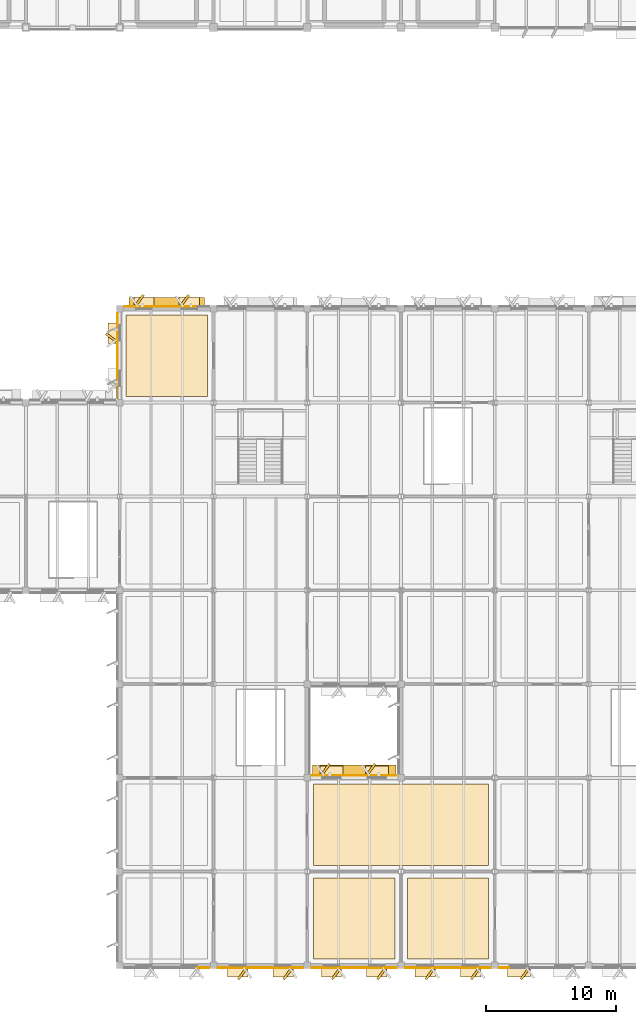
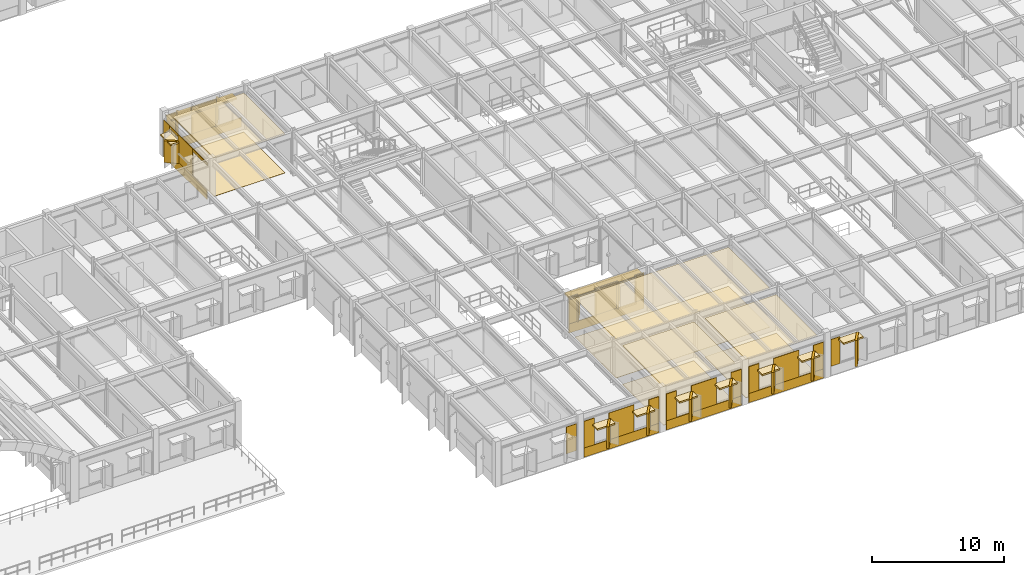
# One storey, part 74 of 85: 57 coverings, 2 shading devices.
"""IFC4 building model written with IfcOpenShell, lengths in metres."""

from ifc_helpers import new_model, si_unit, direction, frame, frame_2d, origin, origin_2d, place, context, subcontext, project, spatial, polyline, rectangle, outline, extrude, material, layer, layer_set, type_object, element, save


model = new_model("IFC4")

# Units and contexts
model_context = context("Model", 3, precision=1e-05, world=origin(), true_north=direction((0.0, 1.0)))
body_context = subcontext(model_context, "Body", "Model", "MODEL_VIEW")
ifc_project = project(units=[si_unit("LENGTHUNIT", "METRE"), si_unit("AREAUNIT", "SQUARE_METRE"), si_unit("VOLUMEUNIT", "CUBIC_METRE"), si_unit("PLANEANGLEUNIT", "RADIAN"), si_unit("MASSUNIT", "GRAM", prefix="KILO")], contexts=[model_context])

# Site, building, storey
site_placement = place(None, origin())
site = spatial("IfcSite", under=ifc_project, at=site_placement, CompositionType="ELEMENT")
building_placement = place(site_placement, origin())
building = spatial("IfcBuilding", under=site, at=building_placement, Name="Sillqori Civic Hall", CompositionType="ELEMENT")
storey_placement = place(building_placement, frame((0.0, 0.0, 9.89990234375)))
storey = spatial("IfcBuildingStorey", under=building, at=storey_placement, Name="L03", CompositionType="ELEMENT", Elevation=9.89990234375)

# Coverings
ifc_material_1 = material(Name="Acoustic Wool Metal Plank 76", Category="aluminium")
ifc_layer_1 = layer(ifc_material_1, 0.075927734375)
ifc_layer_set_1 = layer_set([ifc_layer_1], Name="Acoustic Wool Metal Plank 76")
covering_type_1 = type_object("IfcCoveringType", Name="COV-CEIL-M76", PredefinedType="CEILING", material=ifc_layer_set_1)
covering_1_placement = place(storey_placement, frame((0.0, 0.0, 3.545166015625)))
element("IfcCovering", 1, at=covering_1_placement, inside=storey, type_object=covering_type_1, Name="Civic Heritage Exhibition Gallery L03-05 acoustic ceiling", PredefinedType="CEILING", context=body_context, shape_type="SweptSolid", body=[
    extrude(outline(polyline([(65.280029296875, 50.8798828125), (71.52001953125, 50.8798828125), (71.52001953125, 57.1201171875), (65.280029296875, 57.1201171875), (65.280029296875, 50.8798828125)])), origin(), (0.0, 0.0, 1.0), 0.075927734375),
])
ifc_material_2 = material(Name="Mineral-Fibre High-NRC Tile Ceiling", Category="gypsum")
ifc_layer_2 = layer(ifc_material_2, 0.02392578125)
ifc_layer_set_2 = layer_set([ifc_layer_2], Name="Mineral-Fibre High-NRC Tile Ceiling")
covering_type_2 = type_object("IfcCoveringType", Name="COV-CEIL-MIN", PredefinedType="CEILING", material=ifc_layer_set_2)
covering_2_placement = place(storey_placement, frame((0.0, 0.0, 3.59716796875)))
element("IfcCovering", 2, at=covering_2_placement, inside=storey, type_object=covering_type_2, Name="Youth Municipal Council Workshop Studio L03-07 acoustic ceiling", PredefinedType="CEILING", context=body_context, shape_type="SweptSolid", body=[
    extrude(outline(polyline([(79.679931640625, 14.8798828125), (93.1201171875, 14.8798828125), (93.1201171875, 21.1201171875), (79.679931640625, 21.1201171875), (79.679931640625, 14.8798828125)])), origin(), (0.0, 0.0, 1.0), 0.02392578125),
])
ifc_material_3 = material(Name="Andean Cedar Slatted Baffle 46", Category="timber")
ifc_layer_3 = layer(ifc_material_3, 0.0458984375)
ifc_layer_set_3 = layer_set([ifc_layer_3], Name="Andean Cedar Slatted Baffle 46")
covering_type_3 = type_object("IfcCoveringType", Name="COV-CEIL-T46", PredefinedType="CEILING", material=ifc_layer_set_3)
covering_3_placement = place(storey_placement, frame((0.0, 0.0, 3.5751953125)))
element("IfcCovering", 3, at=covering_3_placement, inside=storey, type_object=covering_type_3, Name="Youth Municipal Council Workshop Studio L03-11 acoustic ceiling", PredefinedType="CEILING", context=body_context, shape_type="SweptSolid", body=[
    extrude(outline(polyline([(86.8798828125, 7.679931640625), (93.1201171875, 7.679931640625), (93.1201171875, 13.919921875), (86.8798828125, 13.919921875), (86.8798828125, 7.679931640625)])), origin(), (0.0, 0.0, 1.0), 0.0458984375),
])
ifc_material_4 = material(Name="Slatted Andean Cedar Acoustic Baffle", Category="timber")
ifc_layer_4 = layer(ifc_material_4, 0.0419921875)
ifc_layer_set_4 = layer_set([ifc_layer_4], Name="Slatted Andean Cedar Acoustic Baffle")
covering_type_4 = type_object("IfcCoveringType", Name="COV-CEIL-TIM", PredefinedType="CEILING", material=ifc_layer_set_4)
covering_4_placement = place(storey_placement, frame((0.0, 0.0, 3.5791015625)))
element("IfcCovering", 4, at=covering_4_placement, inside=storey, type_object=covering_type_4, Name="Citizen Participatory Budgeting Forum Hall L03-06 acoustic ceiling", PredefinedType="CEILING", context=body_context, shape_type="SweptSolid", body=[
    extrude(outline(polyline([(79.679931640625, 7.679931640625), (85.919921875, 7.679931640625), (85.919921875, 13.919921875), (79.679931640625, 13.919921875), (79.679931640625, 7.679931640625)])), origin(), (0.0, 0.0, 1.0), 0.0419921875),
])
ifc_material_5 = material(Name="Cochabamba Honed Limestone Cladding", Category="masonry")
ifc_layer_5 = layer(ifc_material_5, 0.044921875)
ifc_layer_set_5 = layer_set([ifc_layer_5], Name="Cochabamba Honed Limestone Cladding")
covering_type_5 = type_object("IfcCoveringType", Name="COV-CLAD-LIME", PredefinedType="CLADDING", material=ifc_layer_set_5)
covering_5_placement = place(storey_placement, frame((71.669921875, 7.02001953125, 0.900146484375), z_axis=(0.0, 0.0, 1.0), x_axis=(-1.0, 0.0, 0.0)))
element("IfcCovering", 5, at=covering_5_placement, inside=storey, type_object=covering_type_5, Name="L03 Wedge Hall limestone pier cladding L03-09-01-S.1", PredefinedType="CLADDING", context=body_context, shape_type="SweptSolid", body=[
    extrude(rectangle(XDim=0.887939453125, YDim=0.044921875, at=frame_2d((0.44384765625, 0.0))), origin(), (0.0, 0.0, 1.0), 2.47802734375),
])
covering_6_placement = place(storey_placement, frame((65.1298828125, 57.780029296875, 0.0400390625), z_axis=(0.0, 0.0, 1.0), x_axis=(1.0, 0.0, 0.0)))
element("IfcCovering", 6, at=covering_6_placement, inside=storey, type_object=covering_type_5, Name="L03 limestone spandrel cladding L03-09-07-N", PredefinedType="CLADDING", context=body_context, shape_type="SweptSolid", body=[
    extrude(rectangle(XDim=6.5400390625, YDim=0.044921875, at=frame_2d((3.27001953125, 0.0))), origin(), (0.0, 0.0, 1.0), 0.860107421875),
])
covering_7_placement = place(storey_placement, frame((65.1298828125, 57.780029296875, 0.900146484375), z_axis=(0.0, 0.0, 1.0), x_axis=(1.0, 0.0, 0.0)))
element("IfcCovering", 7, at=covering_7_placement, inside=storey, type_object=covering_type_5, Name="L03 Wedge Hall limestone pier cladding L03-09-07-N.1", PredefinedType="CLADDING", context=body_context, shape_type="SweptSolid", body=[
    extrude(rectangle(XDim=0.88818359375, YDim=0.044921875, at=frame_2d((0.444091796875, 0.0))), origin(), (0.0, 0.0, 1.0), 2.47802734375),
])
covering_8_placement = place(storey_placement, frame((67.298095703125, 57.780029296875, 0.900146484375), z_axis=(0.0, 0.0, 1.0), x_axis=(1.0, 0.0, 0.0)))
element("IfcCovering", 8, at=covering_8_placement, inside=storey, type_object=covering_type_5, Name="L03 Wedge Hall limestone pier cladding L03-09-07-N.2", PredefinedType="CLADDING", context=body_context, shape_type="SweptSolid", body=[
    extrude(rectangle(XDim=2.203857421875, YDim=0.044921875, at=frame_2d((1.10205078125, 0.0))), origin(), (0.0, 0.0, 1.0), 2.47802734375),
])
covering_9_placement = place(storey_placement, frame((65.93798828125, 57.739990234375, 0.830078125), z_axis=(0.0, 0.0, 1.0), x_axis=(0.587805596445, 0.809002213092, 0.0)))
element("IfcCovering", 9, at=covering_9_placement, inside=storey, type_object=covering_type_5, Name="Sawtooth limestone angled reveal cheek L03-09-07-N.1", PredefinedType="CLADDING", context=body_context, shape_type="SweptSolid", body=[
    extrude(rectangle(XDim=1.150146484375, YDim=0.179931640625, at=frame_2d((0.5751953125, 0.0))), origin(), (0.0, 0.0, 1.0), 2.0),
])
covering_10_placement = place(storey_placement, frame((65.8779296875, 58.1201171875, 2.690185546875), z_axis=(0.0, 0.0, 1.0), x_axis=(1.0, 0.0, 0.0)))
element("IfcCovering", 10, at=covering_10_placement, inside=storey, type_object=covering_type_5, Name="Sawtooth limestone window hood L03-09-07-N.1", PredefinedType="CLADDING", context=body_context, shape_type="SweptSolid", body=[
    extrude(rectangle(XDim=1.56005859375, YDim=0.780029296875, at=frame_2d((0.780029296875, 0.0))), origin(), (0.0, 0.0, 1.0), 0.139892578125),
])
covering_11_placement = place(storey_placement, frame((69.422119140625, 57.739990234375, 0.830078125), z_axis=(0.0, 0.0, 1.0), x_axis=(0.587666635914, 0.809103160934, 0.0)))
element("IfcCovering", 11, at=covering_11_placement, inside=storey, type_object=covering_type_5, Name="Sawtooth limestone angled reveal cheek L03-09-07-N.2", PredefinedType="CLADDING", context=body_context, shape_type="SweptSolid", body=[
    extrude(rectangle(XDim=1.14990234375, YDim=0.179931640625, at=frame_2d((0.574951171875, 0.0))), origin(), (0.0, 0.0, 1.0), 2.0),
])
covering_12_placement = place(storey_placement, frame((69.362060546875, 58.1201171875, 2.690185546875), z_axis=(0.0, 0.0, 1.0), x_axis=(1.0, 0.0, 0.0)))
element("IfcCovering", 12, at=covering_12_placement, inside=storey, type_object=covering_type_5, Name="Sawtooth limestone window hood L03-09-07-N.2", PredefinedType="CLADDING", context=body_context, shape_type="SweptSolid", body=[
    extrude(rectangle(XDim=1.56005859375, YDim=0.780029296875, at=frame_2d((0.780029296875, 0.0))), origin(), (0.0, 0.0, 1.0), 0.139892578125),
])
covering_13_placement = place(storey_placement, frame((64.6201171875, 50.72998046875, 0.0400390625), z_axis=(0.0, 0.0, 1.0), x_axis=(0.0, 1.0, 0.0)))
element("IfcCovering", 13, at=covering_13_placement, inside=storey, type_object=covering_type_5, Name="L03 limestone spandrel cladding L03-09-07-W", PredefinedType="CLADDING", context=body_context, shape_type="SweptSolid", body=[
    extrude(rectangle(XDim=6.5400390625, YDim=0.044921875, at=frame_2d((3.27001953125, 0.0))), origin(), (0.0, 0.0, 1.0), 0.860107421875),
])
covering_14_placement = place(storey_placement, frame((64.6201171875, 50.72998046875, 3.22021484375), z_axis=(0.0, 0.0, 1.0), x_axis=(0.0, 1.0, 0.0)))
element("IfcCovering", 14, at=covering_14_placement, inside=storey, type_object=covering_type_5, Name="L03 limestone frieze cladding L03-09-07-W", PredefinedType="CLADDING", context=body_context, shape_type="SweptSolid", body=[
    extrude(rectangle(XDim=6.5400390625, YDim=0.044921875, at=frame_2d((3.27001953125, 0.0))), origin(), (0.0, 0.0, 1.0), 0.226806640625),
])
covering_15_placement = place(storey_placement, frame((64.6201171875, 52.89794921875, 0.900146484375), z_axis=(0.0, 0.0, 1.0), x_axis=(0.0, 1.0, 0.0)))
element("IfcCovering", 15, at=covering_15_placement, inside=storey, type_object=covering_type_5, Name="L03 Wedge Hall limestone pier cladding L03-09-07-W.2", PredefinedType="CLADDING", context=body_context, shape_type="SweptSolid", body=[
    extrude(rectangle(XDim=2.2041015625, YDim=0.044921875, at=frame_2d((1.10205078125, 0.0))), origin(), (0.0, 0.0, 1.0), 2.546875),
])
covering_16_placement = place(storey_placement, frame((64.6201171875, 56.382080078125, 0.900146484375), z_axis=(0.0, 0.0, 1.0), x_axis=(0.0, 1.0, 0.0)))
element("IfcCovering", 16, at=covering_16_placement, inside=storey, type_object=covering_type_5, Name="L03 Wedge Hall limestone pier cladding L03-09-07-W.3", PredefinedType="CLADDING", context=body_context, shape_type="SweptSolid", body=[
    extrude(rectangle(XDim=0.887939453125, YDim=0.044921875, at=frame_2d((0.44384765625, 0.0))), origin(), (0.0, 0.0, 1.0), 2.546875),
])
covering_17_placement = place(storey_placement, frame((64.659912109375, 55.02197265625, 0.830078125), z_axis=(0.0, 0.0, 1.0), x_axis=(-0.809002213092, 0.587805596445, 0.0)))
element("IfcCovering", 17, at=covering_17_placement, inside=storey, type_object=covering_type_5, Name="Sawtooth limestone angled reveal cheek L03-09-07-W.2", PredefinedType="CLADDING", context=body_context, shape_type="SweptSolid", body=[
    extrude(rectangle(XDim=1.150146484375, YDim=0.179931640625, at=frame_2d((0.5751953125, 0.0))), origin(), (0.0, 0.0, 1.0), 2.0),
])
covering_18_placement = place(storey_placement, frame((64.280029296875, 54.9619140625, 2.690185546875), z_axis=(0.0, 0.0, 1.0), x_axis=(0.0, 1.0, 0.0)))
element("IfcCovering", 18, at=covering_18_placement, inside=storey, type_object=covering_type_5, Name="Sawtooth limestone window hood L03-09-07-W.2", PredefinedType="CLADDING", context=body_context, shape_type="SweptSolid", body=[
    extrude(rectangle(XDim=1.56005859375, YDim=0.780029296875, at=frame_2d((0.780029296875, 0.0))), origin(), (0.0, 0.0, 1.0), 0.139892578125),
])
covering_19_placement = place(storey_placement, frame((78.8701171875, 7.02001953125, 0.0400390625), z_axis=(0.0, 0.0, 1.0), x_axis=(-1.0, 0.0, 0.0)))
element("IfcCovering", 19, at=covering_19_placement, inside=storey, type_object=covering_type_5, Name="L03 limestone spandrel cladding L03-10-01-S", PredefinedType="CLADDING", context=body_context, shape_type="SweptSolid", body=[
    extrude(rectangle(XDim=6.5400390625, YDim=0.044921875, at=frame_2d((3.27001953125, 0.0))), origin(), (0.0, 0.0, 1.0), 0.860107421875),
])
covering_20_placement = place(storey_placement, frame((78.8701171875, 7.02001953125, 0.900146484375), z_axis=(0.0, 0.0, 1.0), x_axis=(-1.0, 0.0, 0.0)))
element("IfcCovering", 20, at=covering_20_placement, inside=storey, type_object=covering_type_5, Name="L03 Wedge Hall limestone pier cladding L03-10-01-S.1", PredefinedType="CLADDING", context=body_context, shape_type="SweptSolid", body=[
    extrude(rectangle(XDim=0.88818359375, YDim=0.044921875, at=frame_2d((0.444091796875, 0.0))), origin(), (0.0, 0.0, 1.0), 2.47802734375),
])
covering_21_placement = place(storey_placement, frame((76.701904296875, 7.02001953125, 0.900146484375), z_axis=(0.0, 0.0, 1.0), x_axis=(-1.0, 0.0, 0.0)))
element("IfcCovering", 21, at=covering_21_placement, inside=storey, type_object=covering_type_5, Name="L03 Wedge Hall limestone pier cladding L03-10-01-S.2", PredefinedType="CLADDING", context=body_context, shape_type="SweptSolid", body=[
    extrude(rectangle(XDim=2.203857421875, YDim=0.044921875, at=frame_2d((1.10205078125, 0.0))), origin(), (0.0, 0.0, 1.0), 2.47802734375),
])
covering_22_placement = place(storey_placement, frame((73.218017578125, 7.02001953125, 0.900146484375), z_axis=(0.0, 0.0, 1.0), x_axis=(-1.0, 0.0, 0.0)))
element("IfcCovering", 22, at=covering_22_placement, inside=storey, type_object=covering_type_5, Name="L03 Wedge Hall limestone pier cladding L03-10-01-S.3", PredefinedType="CLADDING", context=body_context, shape_type="SweptSolid", body=[
    extrude(rectangle(XDim=0.887939453125, YDim=0.044921875, at=frame_2d((0.44384765625, 0.0))), origin(), (0.0, 0.0, 1.0), 2.47802734375),
])
covering_23_placement = place(storey_placement, frame((78.06201171875, 7.06005859375, 0.830078125), z_axis=(0.0, 0.0, 1.0), x_axis=(-0.587805596445, -0.809002213092, 0.0)))
element("IfcCovering", 23, at=covering_23_placement, inside=storey, type_object=covering_type_5, Name="Sawtooth limestone angled reveal cheek L03-10-01-S.1", PredefinedType="CLADDING", context=body_context, shape_type="SweptSolid", body=[
    extrude(rectangle(XDim=1.150146484375, YDim=0.179931640625, at=frame_2d((0.5751953125, 0.0))), origin(), (0.0, 0.0, 1.0), 2.0),
])
covering_24_placement = place(storey_placement, frame((78.1220703125, 6.679931640625, 2.690185546875), z_axis=(0.0, 0.0, 1.0), x_axis=(-1.0, 0.0, 0.0)))
element("IfcCovering", 24, at=covering_24_placement, inside=storey, type_object=covering_type_5, Name="Sawtooth limestone window hood L03-10-01-S.1", PredefinedType="CLADDING", context=body_context, shape_type="SweptSolid", body=[
    extrude(rectangle(XDim=1.56005859375, YDim=0.780029296875, at=frame_2d((0.780029296875, 0.0))), origin(), (0.0, 0.0, 1.0), 0.139892578125),
])
covering_25_placement = place(storey_placement, frame((74.577880859375, 7.06005859375, 0.830078125), z_axis=(0.0, 0.0, 1.0), x_axis=(-0.587666635914, -0.809103160934, 0.0)))
element("IfcCovering", 25, at=covering_25_placement, inside=storey, type_object=covering_type_5, Name="Sawtooth limestone angled reveal cheek L03-10-01-S.2", PredefinedType="CLADDING", context=body_context, shape_type="SweptSolid", body=[
    extrude(rectangle(XDim=1.14990234375, YDim=0.179931640625, at=frame_2d((0.574951171875, 0.0))), origin(), (0.0, 0.0, 1.0), 2.0),
])
covering_26_placement = place(storey_placement, frame((74.637939453125, 6.679931640625, 2.690185546875), z_axis=(0.0, 0.0, 1.0), x_axis=(-1.0, 0.0, 0.0)))
element("IfcCovering", 26, at=covering_26_placement, inside=storey, type_object=covering_type_5, Name="Sawtooth limestone window hood L03-10-01-S.2", PredefinedType="CLADDING", context=body_context, shape_type="SweptSolid", body=[
    extrude(rectangle(XDim=1.56005859375, YDim=0.780029296875, at=frame_2d((0.780029296875, 0.0))), origin(), (0.0, 0.0, 1.0), 0.139892578125),
])
covering_27_placement = place(storey_placement, frame((86.070068359375, 7.02001953125, 0.0400390625), z_axis=(0.0, 0.0, 1.0), x_axis=(-1.0, 0.0, 0.0)))
element("IfcCovering", 27, at=covering_27_placement, inside=storey, type_object=covering_type_5, Name="L03 limestone spandrel cladding L03-11-01-S", PredefinedType="CLADDING", context=body_context, shape_type="SweptSolid", body=[
    extrude(rectangle(XDim=6.5400390625, YDim=0.044921875, at=frame_2d((3.27001953125, 0.0))), origin(), (0.0, 0.0, 1.0), 0.860107421875),
])
covering_28_placement = place(storey_placement, frame((86.070068359375, 7.02001953125, 0.900146484375), z_axis=(0.0, 0.0, 1.0), x_axis=(-1.0, 0.0, 0.0)))
element("IfcCovering", 28, at=covering_28_placement, inside=storey, type_object=covering_type_5, Name="L03 Wedge Hall limestone pier cladding L03-11-01-S.1", PredefinedType="CLADDING", context=body_context, shape_type="SweptSolid", body=[
    extrude(rectangle(XDim=0.88818359375, YDim=0.044921875, at=frame_2d((0.444091796875, 0.0))), origin(), (0.0, 0.0, 1.0), 2.47802734375),
])
covering_29_placement = place(storey_placement, frame((83.902099609375, 7.02001953125, 0.900146484375), z_axis=(0.0, 0.0, 1.0), x_axis=(-1.0, 0.0, 0.0)))
element("IfcCovering", 29, at=covering_29_placement, inside=storey, type_object=covering_type_5, Name="L03 Wedge Hall limestone pier cladding L03-11-01-S.2", PredefinedType="CLADDING", context=body_context, shape_type="SweptSolid", body=[
    extrude(rectangle(XDim=2.2041015625, YDim=0.044921875, at=frame_2d((1.10205078125, 0.0))), origin(), (0.0, 0.0, 1.0), 2.47802734375),
])
covering_30_placement = place(storey_placement, frame((80.41796875, 7.02001953125, 0.900146484375), z_axis=(0.0, 0.0, 1.0), x_axis=(-1.0, 0.0, 0.0)))
element("IfcCovering", 30, at=covering_30_placement, inside=storey, type_object=covering_type_5, Name="L03 Wedge Hall limestone pier cladding L03-11-01-S.3", PredefinedType="CLADDING", context=body_context, shape_type="SweptSolid", body=[
    extrude(rectangle(XDim=0.887939453125, YDim=0.044921875, at=frame_2d((0.44384765625, 0.0))), origin(), (0.0, 0.0, 1.0), 2.47802734375),
])
covering_31_placement = place(storey_placement, frame((85.261962890625, 7.06005859375, 0.830078125), z_axis=(0.0, 0.0, 1.0), x_axis=(-0.587805596445, -0.809002213092, 0.0)))
element("IfcCovering", 31, at=covering_31_placement, inside=storey, type_object=covering_type_5, Name="Sawtooth limestone angled reveal cheek L03-11-01-S.1", PredefinedType="CLADDING", context=body_context, shape_type="SweptSolid", body=[
    extrude(rectangle(XDim=1.150146484375, YDim=0.179931640625, at=frame_2d((0.5751953125, 0.0))), origin(), (0.0, 0.0, 1.0), 2.0),
])
covering_32_placement = place(storey_placement, frame((85.322021484375, 6.679931640625, 2.690185546875), z_axis=(0.0, 0.0, 1.0), x_axis=(-1.0, 0.0, 0.0)))
element("IfcCovering", 32, at=covering_32_placement, inside=storey, type_object=covering_type_5, Name="Sawtooth limestone window hood L03-11-01-S.1", PredefinedType="CLADDING", context=body_context, shape_type="SweptSolid", body=[
    extrude(rectangle(XDim=1.56005859375, YDim=0.780029296875, at=frame_2d((0.780029296875, 0.0))), origin(), (0.0, 0.0, 1.0), 0.139892578125),
])
covering_33_placement = place(storey_placement, frame((81.778076171875, 7.06005859375, 0.830078125), z_axis=(0.0, 0.0, 1.0), x_axis=(-0.587805596445, -0.809002213092, 0.0)))
element("IfcCovering", 33, at=covering_33_placement, inside=storey, type_object=covering_type_5, Name="Sawtooth limestone angled reveal cheek L03-11-01-S.2", PredefinedType="CLADDING", context=body_context, shape_type="SweptSolid", body=[
    extrude(rectangle(XDim=1.150146484375, YDim=0.179931640625, at=frame_2d((0.5751953125, 0.0))), origin(), (0.0, 0.0, 1.0), 2.0),
])
covering_34_placement = place(storey_placement, frame((81.837890625, 6.679931640625, 2.690185546875), z_axis=(0.0, 0.0, 1.0), x_axis=(-1.0, 0.0, 0.0)))
element("IfcCovering", 34, at=covering_34_placement, inside=storey, type_object=covering_type_5, Name="Sawtooth limestone window hood L03-11-01-S.2", PredefinedType="CLADDING", context=body_context, shape_type="SweptSolid", body=[
    extrude(rectangle(XDim=1.559814453125, YDim=0.780029296875, at=frame_2d((0.77978515625, 0.0))), origin(), (0.0, 0.0, 1.0), 0.139892578125),
])
covering_35_placement = place(storey_placement, frame((79.530029296875, 21.780029296875, 0.0400390625), z_axis=(0.0, 0.0, 1.0), x_axis=(1.0, 0.0, 0.0)))
element("IfcCovering", 35, at=covering_35_placement, inside=storey, type_object=covering_type_5, Name="L03 limestone spandrel cladding L03-11-02-N", PredefinedType="CLADDING", context=body_context, shape_type="SweptSolid", body=[
    extrude(rectangle(XDim=6.5400390625, YDim=0.044921875, at=frame_2d((3.27001953125, 0.0))), origin(), (0.0, 0.0, 1.0), 0.860107421875),
])
covering_36_placement = place(storey_placement, frame((79.530029296875, 21.780029296875, 0.900146484375), z_axis=(0.0, 0.0, 1.0), x_axis=(1.0, 0.0, 0.0)))
element("IfcCovering", 36, at=covering_36_placement, inside=storey, type_object=covering_type_5, Name="L03 Wedge Hall limestone pier cladding L03-11-02-N.1", PredefinedType="CLADDING", context=body_context, shape_type="SweptSolid", body=[
    extrude(rectangle(XDim=0.7880859375, YDim=0.044921875, at=frame_2d((0.39404296875, 0.0))), origin(), (0.0, 0.0, 1.0), 2.47802734375),
])
covering_37_placement = place(storey_placement, frame((81.798095703125, 21.780029296875, 0.900146484375), z_axis=(0.0, 0.0, 1.0), x_axis=(1.0, 0.0, 0.0)))
element("IfcCovering", 37, at=covering_37_placement, inside=storey, type_object=covering_type_5, Name="L03 Wedge Hall limestone pier cladding L03-11-02-N.2", PredefinedType="CLADDING", context=body_context, shape_type="SweptSolid", body=[
    extrude(rectangle(XDim=2.00390625, YDim=0.044921875, at=frame_2d((1.001953125, 0.0))), origin(), (0.0, 0.0, 1.0), 2.47802734375),
])
covering_38_placement = place(storey_placement, frame((85.281982421875, 21.780029296875, 0.900146484375), z_axis=(0.0, 0.0, 1.0), x_axis=(1.0, 0.0, 0.0)))
element("IfcCovering", 38, at=covering_38_placement, inside=storey, type_object=covering_type_5, Name="L03 Wedge Hall limestone pier cladding L03-11-02-N.3", PredefinedType="CLADDING", context=body_context, shape_type="SweptSolid", body=[
    extrude(rectangle(XDim=0.7880859375, YDim=0.044921875, at=frame_2d((0.39404296875, 0.0))), origin(), (0.0, 0.0, 1.0), 2.47802734375),
])
covering_39_placement = place(storey_placement, frame((80.238037109375, 21.739990234375, 0.830078125), z_axis=(0.0, 0.0, 1.0), x_axis=(0.587805596445, 0.809002213092, 0.0)))
element("IfcCovering", 39, at=covering_39_placement, inside=storey, type_object=covering_type_5, Name="Sawtooth limestone angled reveal cheek L03-11-02-N.1", PredefinedType="CLADDING", context=body_context, shape_type="SweptSolid", body=[
    extrude(rectangle(XDim=1.150146484375, YDim=0.179931640625, at=frame_2d((0.5751953125, 0.0))), origin(), (0.0, 0.0, 1.0), 2.39990234375),
])
covering_40_placement = place(storey_placement, frame((80.177978515625, 22.1201171875, 3.090087890625), z_axis=(0.0, 0.0, 1.0), x_axis=(1.0, 0.0, 0.0)))
element("IfcCovering", 40, at=covering_40_placement, inside=storey, type_object=covering_type_5, Name="Sawtooth limestone window hood L03-11-02-N.1", PredefinedType="CLADDING", context=body_context, shape_type="SweptSolid", body=[
    extrude(rectangle(XDim=1.760009765625, YDim=0.780029296875, at=frame_2d((0.8798828125, 0.0))), origin(), (0.0, 0.0, 1.0), 0.139892578125),
])
covering_41_placement = place(storey_placement, frame((83.721923828125, 21.739990234375, 0.830078125), z_axis=(0.0, 0.0, 1.0), x_axis=(0.587805596445, 0.809002213092, 0.0)))
element("IfcCovering", 41, at=covering_41_placement, inside=storey, type_object=covering_type_5, Name="Sawtooth limestone angled reveal cheek L03-11-02-N.2", PredefinedType="CLADDING", context=body_context, shape_type="SweptSolid", body=[
    extrude(rectangle(XDim=1.150146484375, YDim=0.179931640625, at=frame_2d((0.5751953125, 0.0))), origin(), (0.0, 0.0, 1.0), 2.39990234375),
])
covering_42_placement = place(storey_placement, frame((83.662109375, 22.1201171875, 3.090087890625), z_axis=(0.0, 0.0, 1.0), x_axis=(1.0, 0.0, 0.0)))
element("IfcCovering", 42, at=covering_42_placement, inside=storey, type_object=covering_type_5, Name="Sawtooth limestone window hood L03-11-02-N.2", PredefinedType="CLADDING", context=body_context, shape_type="SweptSolid", body=[
    extrude(rectangle(XDim=1.760009765625, YDim=0.780029296875, at=frame_2d((0.8798828125, 0.0))), origin(), (0.0, 0.0, 1.0), 0.139892578125),
])
covering_43_placement = place(storey_placement, frame((93.27001953125, 7.02001953125, 0.0400390625), z_axis=(0.0, 0.0, 1.0), x_axis=(-1.0, 0.0, 0.0)))
element("IfcCovering", 43, at=covering_43_placement, inside=storey, type_object=covering_type_5, Name="L03 limestone spandrel cladding L03-12-01-S", PredefinedType="CLADDING", context=body_context, shape_type="SweptSolid", body=[
    extrude(rectangle(XDim=6.5400390625, YDim=0.044921875, at=frame_2d((3.27001953125, 0.0))), origin(), (0.0, 0.0, 1.0), 0.860107421875),
])
covering_44_placement = place(storey_placement, frame((93.27001953125, 7.02001953125, 0.900146484375), z_axis=(0.0, 0.0, 1.0), x_axis=(-1.0, 0.0, 0.0)))
element("IfcCovering", 44, at=covering_44_placement, inside=storey, type_object=covering_type_5, Name="L03 Wedge Hall limestone pier cladding L03-12-01-S.1", PredefinedType="CLADDING", context=body_context, shape_type="SweptSolid", body=[
    extrude(rectangle(XDim=0.887939453125, YDim=0.044921875, at=frame_2d((0.44384765625, 0.0))), origin(), (0.0, 0.0, 1.0), 2.47802734375),
])
covering_45_placement = place(storey_placement, frame((91.10205078125, 7.02001953125, 0.900146484375), z_axis=(0.0, 0.0, 1.0), x_axis=(-1.0, 0.0, 0.0)))
element("IfcCovering", 45, at=covering_45_placement, inside=storey, type_object=covering_type_5, Name="L03 Wedge Hall limestone pier cladding L03-12-01-S.2", PredefinedType="CLADDING", context=body_context, shape_type="SweptSolid", body=[
    extrude(rectangle(XDim=2.2041015625, YDim=0.044921875, at=frame_2d((1.10205078125, 0.0))), origin(), (0.0, 0.0, 1.0), 2.47802734375),
])
covering_46_placement = place(storey_placement, frame((87.617919921875, 7.02001953125, 0.900146484375), z_axis=(0.0, 0.0, 1.0), x_axis=(-1.0, 0.0, 0.0)))
element("IfcCovering", 46, at=covering_46_placement, inside=storey, type_object=covering_type_5, Name="L03 Wedge Hall limestone pier cladding L03-12-01-S.3", PredefinedType="CLADDING", context=body_context, shape_type="SweptSolid", body=[
    extrude(rectangle(XDim=0.887939453125, YDim=0.044921875, at=frame_2d((0.44384765625, 0.0))), origin(), (0.0, 0.0, 1.0), 2.47802734375),
])
covering_47_placement = place(storey_placement, frame((92.4619140625, 7.06005859375, 0.830078125), z_axis=(0.0, 0.0, 1.0), x_axis=(-0.587805596445, -0.809002213092, 0.0)))
element("IfcCovering", 47, at=covering_47_placement, inside=storey, type_object=covering_type_5, Name="Sawtooth limestone angled reveal cheek L03-12-01-S.1", PredefinedType="CLADDING", context=body_context, shape_type="SweptSolid", body=[
    extrude(rectangle(XDim=1.150146484375, YDim=0.179931640625, at=frame_2d((0.5751953125, 0.0))), origin(), (0.0, 0.0, 1.0), 2.0),
])
covering_48_placement = place(storey_placement, frame((92.52197265625, 6.679931640625, 2.690185546875), z_axis=(0.0, 0.0, 1.0), x_axis=(-1.0, 0.0, 0.0)))
element("IfcCovering", 48, at=covering_48_placement, inside=storey, type_object=covering_type_5, Name="Sawtooth limestone window hood L03-12-01-S.1", PredefinedType="CLADDING", context=body_context, shape_type="SweptSolid", body=[
    extrude(rectangle(XDim=1.56005859375, YDim=0.780029296875, at=frame_2d((0.780029296875, 0.0))), origin(), (0.0, 0.0, 1.0), 0.139892578125),
])
covering_49_placement = place(storey_placement, frame((88.97802734375, 7.06005859375, 0.830078125), z_axis=(0.0, 0.0, 1.0), x_axis=(-0.587805596445, -0.809002213092, 0.0)))
element("IfcCovering", 49, at=covering_49_placement, inside=storey, type_object=covering_type_5, Name="Sawtooth limestone angled reveal cheek L03-12-01-S.2", PredefinedType="CLADDING", context=body_context, shape_type="SweptSolid", body=[
    extrude(rectangle(XDim=1.150146484375, YDim=0.179931640625, at=frame_2d((0.5751953125, 0.0))), origin(), (0.0, 0.0, 1.0), 2.0),
])
covering_50_placement = place(storey_placement, frame((89.0380859375, 6.679931640625, 2.690185546875), z_axis=(0.0, 0.0, 1.0), x_axis=(-1.0, 0.0, 0.0)))
element("IfcCovering", 50, at=covering_50_placement, inside=storey, type_object=covering_type_5, Name="Sawtooth limestone window hood L03-12-01-S.2", PredefinedType="CLADDING", context=body_context, shape_type="SweptSolid", body=[
    extrude(rectangle(XDim=1.56005859375, YDim=0.780029296875, at=frame_2d((0.780029296875, 0.0))), origin(), (0.0, 0.0, 1.0), 0.139892578125),
])
covering_51_placement = place(storey_placement, frame((94.718017578125, 7.02001953125, 0.900146484375), z_axis=(0.0, 0.0, 1.0), x_axis=(-1.0, 0.0, 0.0)))
element("IfcCovering", 51, at=covering_51_placement, inside=storey, type_object=covering_type_5, Name="L03 Wedge Hall limestone pier cladding L03-13-01-S.3", PredefinedType="CLADDING", context=body_context, shape_type="SweptSolid", body=[
    extrude(rectangle(XDim=0.7880859375, YDim=0.044921875, at=frame_2d((0.39404296875, 0.0))), origin(), (0.0, 0.0, 1.0), 2.47802734375),
])
covering_52_placement = place(storey_placement, frame((96.278076171875, 7.06005859375, 0.830078125), z_axis=(0.0, 0.0, 1.0), x_axis=(-0.587805596445, -0.809002213092, 0.0)))
element("IfcCovering", 52, at=covering_52_placement, inside=storey, type_object=covering_type_5, Name="Sawtooth limestone angled reveal cheek L03-13-01-S.2", PredefinedType="CLADDING", context=body_context, shape_type="SweptSolid", body=[
    extrude(rectangle(XDim=1.150146484375, YDim=0.179931640625, at=frame_2d((0.5751953125, 0.0))), origin(), (0.0, 0.0, 1.0), 2.39990234375),
])
covering_53_placement = place(storey_placement, frame((96.337890625, 6.679931640625, 3.090087890625), z_axis=(0.0, 0.0, 1.0), x_axis=(-1.0, 0.0, 0.0)))
element("IfcCovering", 53, at=covering_53_placement, inside=storey, type_object=covering_type_5, Name="Sawtooth limestone window hood L03-13-01-S.2", PredefinedType="CLADDING", context=body_context, shape_type="SweptSolid", body=[
    extrude(rectangle(XDim=1.760009765625, YDim=0.780029296875, at=frame_2d((0.8798828125, 0.0))), origin(), (0.0, 0.0, 1.0), 0.139892578125),
])
ifc_material_6 = material(Name="Slip-Resistant R11 Porcelain Tile", Category="ceramic")
ifc_layer_6 = layer(ifc_material_6, 0.02001953125)
ifc_layer_set_6 = layer_set([ifc_layer_6], Name="Slip-Resistant R11 Porcelain Tile")
covering_type_6 = type_object("IfcCoveringType", Name="COV-FLR-POR", PredefinedType="FLOORING", material=ifc_layer_set_6)
covering_54_placement = place(storey_placement, origin())
element("IfcCovering", 54, at=covering_54_placement, inside=storey, type_object=covering_type_6, Name="Youth Municipal Council Workshop Studio L03-07 floor finish", PredefinedType="FLOORING", context=body_context, shape_type="SweptSolid", body=[
    extrude(outline(polyline([(79.679931640625, 14.8798828125), (93.1201171875, 14.8798828125), (93.1201171875, 21.1201171875), (79.679931640625, 21.1201171875), (79.679931640625, 14.8798828125)])), origin(), (0.0, 0.0, 1.0), 0.02001953125),
])
ifc_material_7 = material(Name="Engineered Tajibo Hardwood Flooring", Category="wood")
ifc_layer_7 = layer(ifc_material_7, 0.02587890625)
ifc_layer_set_7 = layer_set([ifc_layer_7], Name="Engineered Tajibo Hardwood Flooring")
covering_type_7 = type_object("IfcCoveringType", Name="COV-FLR-PRQ", PredefinedType="FLOORING", material=ifc_layer_set_7)
covering_55_placement = place(storey_placement, origin())
element("IfcCovering", 55, at=covering_55_placement, inside=storey, type_object=covering_type_7, Name="Citizen Participatory Budgeting Forum Hall L03-06 floor finish", PredefinedType="FLOORING", context=body_context, shape_type="SweptSolid", body=[
    extrude(outline(polyline([(79.679931640625, 7.679931640625), (85.919921875, 7.679931640625), (85.919921875, 13.919921875), (79.679931640625, 13.919921875), (79.679931640625, 7.679931640625)])), origin(), (0.0, 0.0, 1.0), 0.026123046875),
])
ifc_material_8 = material(Name="Seamless Polyurethane Acoustic Screed 12", Category="resin")
ifc_layer_8 = layer(ifc_material_8, 0.011962890625)
ifc_layer_set_8 = layer_set([ifc_layer_8], Name="Seamless Polyurethane Acoustic Screed 12")
covering_type_8 = type_object("IfcCoveringType", Name="COV-FLR-R12", PredefinedType="FLOORING", material=ifc_layer_set_8)
covering_56_placement = place(storey_placement, origin())
element("IfcCovering", 56, at=covering_56_placement, inside=storey, type_object=covering_type_8, Name="Civic Heritage Exhibition Gallery L03-05 floor finish", PredefinedType="FLOORING", context=body_context, shape_type="SweptSolid", body=[
    extrude(outline(polyline([(65.280029296875, 50.8798828125), (71.52001953125, 50.8798828125), (71.52001953125, 57.1201171875), (65.280029296875, 57.1201171875), (65.280029296875, 50.8798828125)])), origin(), (0.0, 0.0, 1.0), 0.01220703125),
])
ifc_material_9 = material(Name="Thick Ceremonial Limestone Flagstone 50", Category="masonry")
ifc_layer_9 = layer(ifc_material_9, 0.050048828125)
ifc_layer_set_9 = layer_set([ifc_layer_9], Name="Thick Ceremonial Limestone Flagstone 50")
covering_type_9 = type_object("IfcCoveringType", Name="COV-FLR-S50", PredefinedType="FLOORING", material=ifc_layer_set_9)
covering_57_placement = place(storey_placement, origin())
element("IfcCovering", 57, at=covering_57_placement, inside=storey, type_object=covering_type_9, Name="Youth Municipal Council Workshop Studio L03-11 floor finish", PredefinedType="FLOORING", context=body_context, shape_type="SweptSolid", body=[
    extrude(outline(polyline([(86.8798828125, 7.679931640625), (93.1201171875, 7.679931640625), (93.1201171875, 13.919921875), (86.8798828125, 13.919921875), (86.8798828125, 7.679931640625)])), origin(), (0.0, 0.0, 1.0), 0.050048828125),
])

# Shading devices
ifc_material_10 = material(Name="Anodized Aluminium Solar Control Louvre", Category="aluminium")
shading_device_type_1 = type_object("IfcShadingDeviceType", Name="SHD-HOOD-580", PredefinedType="JALOUSIE", material=ifc_material_10)
shading_device_1_placement = place(storey_placement, frame((68.39990234375, 58.1201171875, 2.72021484375), z_axis=(0.0, 0.0, 1.0), x_axis=(1.0, 0.0, 0.0)))
element("IfcShadingDevice", 58, at=shading_device_1_placement, inside=storey, type_object=shading_device_type_1, Name="L03 north solar hood L03-09-07-N", PredefinedType="JALOUSIE", context=body_context, shape_type="SweptSolid", body=[
    extrude(rectangle(XDim=5.800048828125, YDim=0.75, at=origin_2d()), origin(), (0.0, 0.0, 1.0), 0.139892578125),
])
shading_device_type_2 = type_object("IfcShadingDeviceType", Name="SHD-HOOD-640", PredefinedType="JALOUSIE", material=ifc_material_10)
shading_device_2_placement = place(storey_placement, frame((82.800048828125, 22.169921875, 3.1201171875), z_axis=(0.0, 0.0, 1.0), x_axis=(1.0, 0.0, 0.0)))
element("IfcShadingDevice", 59, at=shading_device_2_placement, inside=storey, type_object=shading_device_type_2, Name="L03 north solar hood L03-11-02-N", PredefinedType="JALOUSIE", context=body_context, shape_type="SweptSolid", body=[
    extrude(rectangle(XDim=6.39990234375, YDim=0.85009765625, at=origin_2d()), origin(), (0.0, 0.0, 1.0), 0.139892578125),
])

save(model, "model.ifc")
